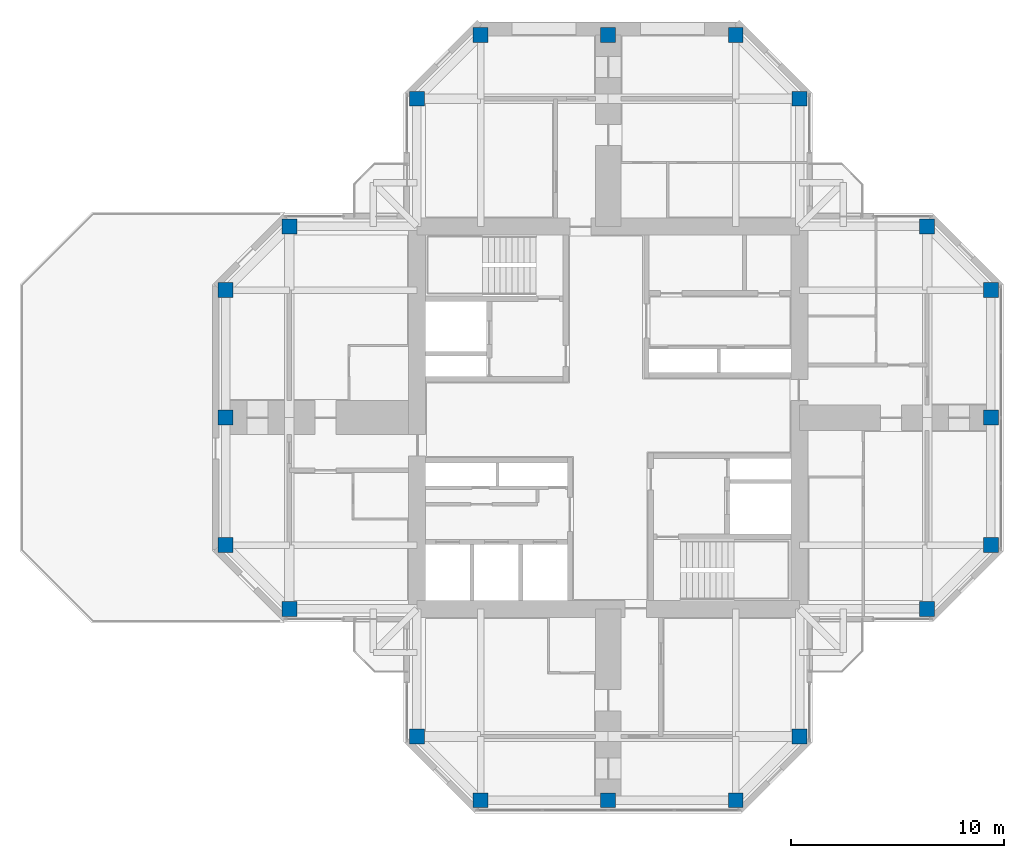
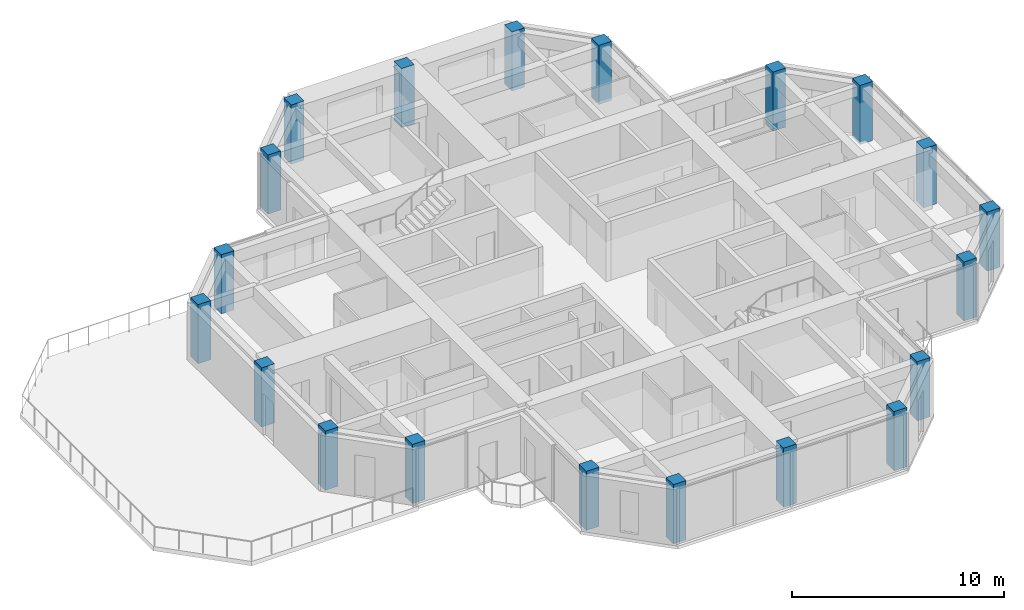
# One storey, part 1 of 14: 20 columns.
"""IFC4 building model written with IfcOpenShell, lengths in metres."""

from ifc_helpers import new_model, si_unit, direction, frame, origin, origin_2d, place, context, subcontext, project, spatial, rectangle, extrude, material, material_profile, profile_set, type_object, element, save


model = new_model("IFC4")

# Units and contexts
model_context = context("Model", 3, precision=1e-05, world=origin(), true_north=direction((0.0, 1.0)))
body_context = subcontext(model_context, "Body", "Model", "MODEL_VIEW")
ifc_project = project(units=[si_unit("LENGTHUNIT", "METRE"), si_unit("AREAUNIT", "SQUARE_METRE"), si_unit("VOLUMEUNIT", "CUBIC_METRE"), si_unit("PLANEANGLEUNIT", "RADIAN"), si_unit("MASSUNIT", "GRAM", prefix="KILO")], contexts=[model_context])

# Site, building, storey
site_placement = place(None, origin())
site = spatial("IfcSite", under=ifc_project, at=site_placement, CompositionType="ELEMENT")
building_placement = place(site_placement, origin())
building = spatial("IfcBuilding", under=site, at=building_placement, Name="Torre Cruceta", CompositionType="ELEMENT")
storey_placement = place(building_placement, frame((0.0, 0.0, 257.699951171875)))
storey = spatial("IfcBuildingStorey", under=building, at=storey_placement, Name="L66", CompositionType="ELEMENT", Elevation=257.699951171875)

# Columns
ifc_material = material(Name="Concrete G60 (fck 60 MPa)", Category="concrete")
ifc_material_profile = material_profile(ifc_material, rectangle(XDim=0.699951171875, YDim=0.699951171875, at=origin_2d()), Name="RC 700X700")
ifc_profile_set = profile_set([ifc_material_profile], Name="Concrete G60 (fck 60 MPa)")
column_type = type_object("IfcColumnType", Name="COLUMN RC 700X700", PredefinedType="COLUMN", material=ifc_profile_set)
for number, where, z_axis, x_axis, name in (
    (1, (9.0, 15.0, 0.0), (0.0, 0.0, 1.0), (1.0, 0.0, 0.0), "C8 L66 N chamfer"),
    (2, (-9.0, 15.0, 0.0), (0.0, 0.0, 1.0), (1.0, 0.0, 0.0), "C8 L66 N chamfer"),
    (3, (6.0, 18.0, 0.0), (0.0, 0.0, 1.0), (1.0, 0.0, 0.0), "C8 L66 N tip"),
    (4, (0.0, 18.0, 0.0), (0.0, 0.0, 1.0), (1.0, 0.0, 0.0), "C8 L66 N tip"),
    (5, (-6.0, 18.0, 0.0), (0.0, 0.0, 1.0), (1.0, 0.0, 0.0), "C8 L66 N tip"),
    (6, (15.0, -9.0, 0.0), (0.0, 0.0, 1.0), (1.0, 0.0, 0.0), "C8 L66 E chamfer"),
    (7, (15.0, 9.0, 0.0), (0.0, 0.0, 1.0), (1.0, 0.0, 0.0), "C8 L66 E chamfer"),
    (8, (18.0, -6.0, 0.0), (0.0, 0.0, 1.0), (1.0, 0.0, 0.0), "C8 L66 E tip"),
    (9, (18.0, 0.0, 0.0), (0.0, 0.0, 1.0), (1.0, 0.0, 0.0), "C8 L66 E tip"),
    (10, (18.0, 6.0, 0.0), (0.0, 0.0, 1.0), (1.0, 0.0, 0.0), "C8 L66 E tip"),
    (11, (-9.0, -15.0, 0.0), (0.0, 0.0, 1.0), (1.0, 0.0, 0.0), "C8 L66 S chamfer"),
    (12, (9.0, -15.0, 0.0), (0.0, 0.0, 1.0), (1.0, 0.0, 0.0), "C8 L66 S chamfer"),
    (13, (-6.0, -18.0, 0.0), (0.0, 0.0, 1.0), (1.0, 0.0, 0.0), "C8 L66 S tip"),
    (14, (0.0, -18.0, 0.0), (0.0, 0.0, 1.0), (1.0, 0.0, 0.0), "C8 L66 S tip"),
    (15, (6.0, -18.0, 0.0), (0.0, 0.0, 1.0), (1.0, 0.0, 0.0), "C8 L66 S tip"),
    (16, (-15.0, 9.0, 0.0), (0.0, 0.0, 1.0), (1.0, 0.0, 0.0), "C8 L66 W chamfer"),
    (17, (-15.0, -9.0, 0.0), (0.0, 0.0, 1.0), (1.0, 0.0, 0.0), "C8 L66 W chamfer"),
    (18, (-18.0, 6.0, 0.0), (0.0, 0.0, 1.0), (1.0, 0.0, 0.0), "C8 L66 W tip"),
    (19, (-18.0, 0.0, 0.0), (0.0, 0.0, 1.0), (1.0, 0.0, 0.0), "C8 L66 W tip"),
    (20, (-18.0, -6.0, 0.0), (0.0, 0.0, 1.0), (1.0, 0.0, 0.0), "C8 L66 W tip"),
):
    element("IfcColumn", number, at=place(storey_placement, frame(where, z_axis=z_axis, x_axis=x_axis)), inside=storey, type_object=column_type, Name=name, PredefinedType="COLUMN", context=body_context, shape_type="SweptSolid", body=[
        extrude(rectangle(XDim=0.699951171875, YDim=0.699951171875, at=origin_2d()), origin(), (0.0, 0.0, 1.0), 3.400146484375),
    ])

save(model, "model.ifc")
